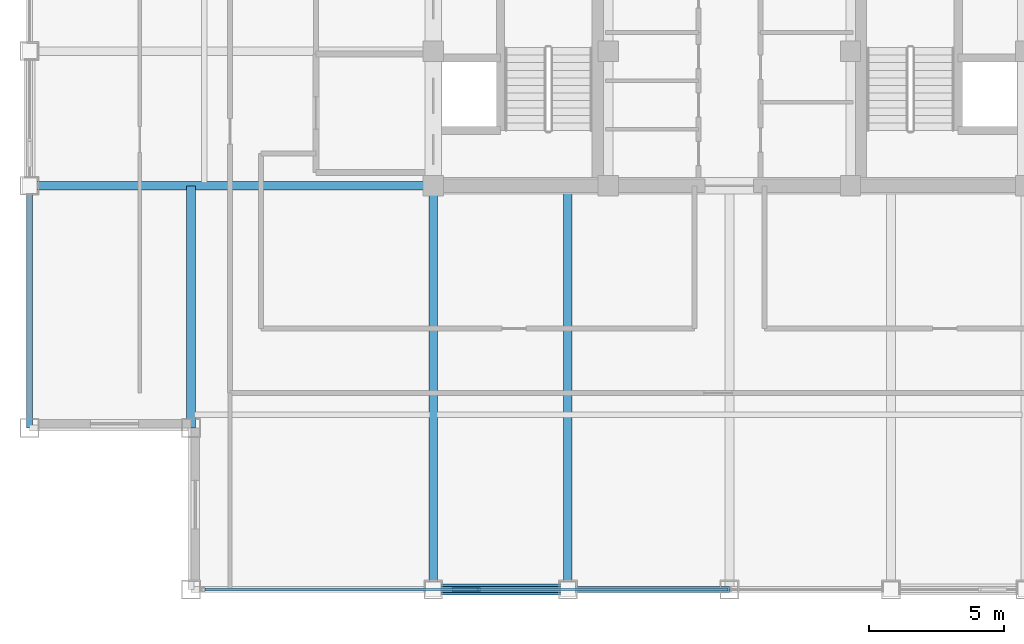
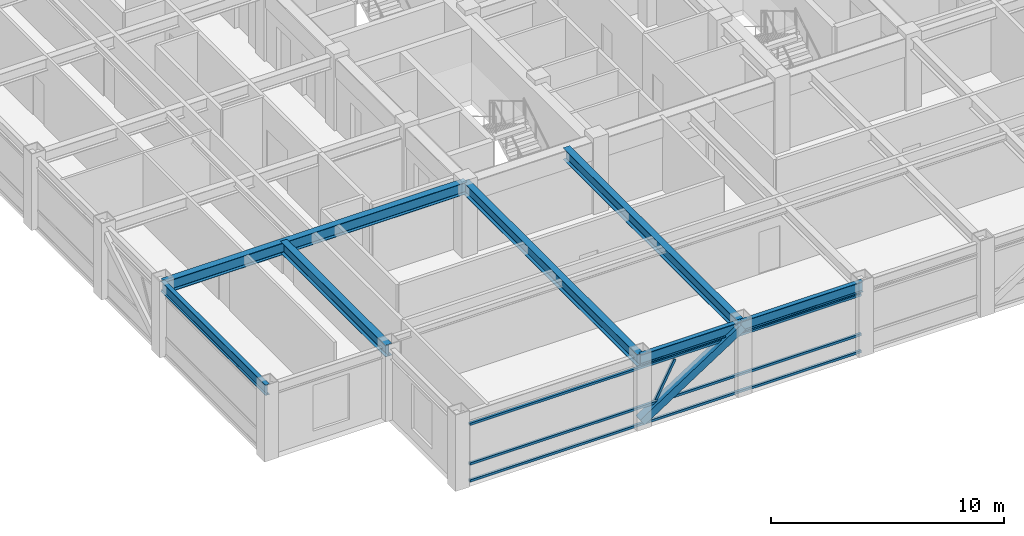
# One storey, part 3 of 29: 7 beams, 5 members, 1 element without a shape of its own.
"""IFC4 building model written with IfcOpenShell, lengths in metres."""

from ifc_helpers import new_model, si_unit, direction, frame, origin, origin_2d, place, context, subcontext, project, spatial, hollow_rectangle, i_section, extrude, source, transform, mapped, material, material_profile, profile_set, type_object, element, aggregate, save


model = new_model("IFC4")

# Units and contexts
model_context = context("Model", 3, precision=1e-05, world=origin(), true_north=direction((0.0, 1.0)))
body_context = subcontext(model_context, "Body", "Model", "MODEL_VIEW")
ifc_project = project(units=[si_unit("LENGTHUNIT", "METRE"), si_unit("AREAUNIT", "SQUARE_METRE"), si_unit("VOLUMEUNIT", "CUBIC_METRE"), si_unit("PLANEANGLEUNIT", "RADIAN"), si_unit("MASSUNIT", "GRAM", prefix="KILO")], contexts=[model_context])

# Site, building, storey
site_placement = place(None, origin())
site = spatial("IfcSite", under=ifc_project, at=site_placement, CompositionType="ELEMENT")
building_placement = place(site_placement, origin())
building = spatial("IfcBuilding", under=site, at=building_placement, Name="Khorayat Bourse Tower", CompositionType="ELEMENT")
storey_placement = place(building_placement, frame((0.0, 0.0, 358.300048828125)))
storey = spatial("IfcBuildingStorey", under=building, at=storey_placement, Name="L85", CompositionType="ELEMENT", Elevation=358.300048828125)

# Beams
ifc_material_1 = material(Name="Steel ASTM A992 Grade 50", Category="steel")
ifc_material_profile_1 = material_profile(ifc_material_1, i_section(OverallWidth=0.214111328125, OverallDepth=0.549072265625, WebThickness=0.0146484375, FlangeThickness=0.023681640625, FilletRadius=0.013916015625, at=origin_2d()), Name="W530X138")
ifc_profile_set_1 = profile_set([ifc_material_profile_1], Name="Steel ASTM A992 Grade 50")
beam_type_1 = type_object("IfcBeamType", Name="BM-SPAN-530", PredefinedType="SPANDREL", material=ifc_profile_set_1)
shared_shape_1 = source(origin(), body_context, "Body", "SweptSolid", [
    extrude(i_section(OverallWidth=0.214111328125, OverallDepth=0.549072265625, WebThickness=0.0146484375, FlangeThickness=0.023681640625, FilletRadius=0.013916015625, at=origin_2d()), origin(), (0.0, 0.0, 1.0), 9.0),
])
beam_1_placement = place(storey_placement, frame((-26.0, -20.0, 3.46533203125), z_axis=(0.0, 1.0, 0.0), x_axis=(-1.0, 0.0, 0.0)))
element("IfcBeam", 1, at=beam_1_placement, inside=storey, type_object=beam_type_1, Name="L85 BM-SPAN-530 BM-L85-SPN-053", PredefinedType="SPANDREL", context=body_context, shape_type="MappedRepresentation", body=[
    mapped(shared_shape_1, transform((0.0, 0.0, 0.0), scale=1.0)),
])
shared_shape_2 = source(origin(), body_context, "Body", "SweptSolid", [
    extrude(i_section(OverallWidth=0.214111328125, OverallDepth=0.549072265625, WebThickness=0.0146484375, FlangeThickness=0.023681640625, FilletRadius=0.013916015625, at=origin_2d()), origin(), (0.0, 0.0, 1.0), 5.0),
])
beam_2_placement = place(storey_placement, frame((-11.0, -26.0, 3.46533203125), z_axis=(1.0, 0.0, 0.0), x_axis=(0.0, 1.0, 0.0)))
element("IfcBeam", 2, at=beam_2_placement, inside=storey, type_object=beam_type_1, Name="L85 BM-SPAN-530 BM-L85-SPN-025", PredefinedType="SPANDREL", context=body_context, shape_type="MappedRepresentation", body=[
    mapped(shared_shape_2, transform((0.0, 0.0, 0.0), scale=1.0)),
])
shared_shape_3 = source(origin(), body_context, "Body", "SweptSolid", [
    extrude(i_section(OverallWidth=0.214111328125, OverallDepth=0.549072265625, WebThickness=0.0146484375, FlangeThickness=0.023681640625, FilletRadius=0.013916015625, at=origin_2d()), origin(), (0.0, 0.0, 1.0), 6.0),
])
beam_3_placement = place(storey_placement, frame((-6.0, -26.0, 3.46533203125), z_axis=(1.0, 0.0, 0.0), x_axis=(0.0, 1.0, 0.0)))
element("IfcBeam", 3, at=beam_3_placement, inside=storey, type_object=beam_type_1, Name="L85 BM-SPAN-530 BM-L85-SPN-026", PredefinedType="SPANDREL", context=body_context, shape_type="MappedRepresentation", body=[
    mapped(shared_shape_3, transform((0.0, 0.0, 0.0), scale=1.0)),
])
ifc_material_profile_2 = material_profile(ifc_material_1, i_section(OverallWidth=0.324951171875, OverallDepth=0.615966796875, WebThickness=0.013916015625, FlangeThickness=0.021484375, FilletRadius=0.01611328125, at=origin_2d()), Name="W610X174")
ifc_profile_set_2 = profile_set([ifc_material_profile_2], Name="Steel ASTM A992 Grade 50")
beam_type_2 = type_object("IfcBeamType", Name="BM-GIRD-610", PredefinedType="BEAM", material=ifc_profile_set_2)
shared_shape_4 = source(origin(), body_context, "Body", "SweptSolid", [
    extrude(i_section(OverallWidth=0.324951171875, OverallDepth=0.615966796875, WebThickness=0.013916015625, FlangeThickness=0.021484375, FilletRadius=0.01611328125, at=origin_2d()), origin(), (0.0, 0.0, 1.0), 15.0),
])
for number, where, z_axis, x_axis, name in (
    (4, (-11.0, -26.0, 3.431884765625), (0.0, 1.0, 0.0), (-1.0, 0.0, 0.0), "L85 BM-GIRD-610 BM-L85-RADY-057"),
    (5, (-6.0, -26.0, 3.431884765625), (0.0, 1.0, 0.0), (-1.0, 0.0, 0.0), "L85 BM-GIRD-610 BM-L85-RADY-059"),
    (6, (-26.0, -11.0, 3.431884765625), (1.0, 0.0, 0.0), (0.0, 1.0, 0.0), "L85 BM-GIRD-610 BM-L85-RADX-067"),
):
    element("IfcBeam", number, at=place(storey_placement, frame(where, z_axis=z_axis, x_axis=x_axis)), inside=storey, type_object=beam_type_2, Name=name, PredefinedType="BEAM", context=body_context, shape_type="MappedRepresentation", body=[
        mapped(shared_shape_4, transform((0.0, 0.0, 0.0), scale=1.0)),
    ])
shared_shape_5 = source(origin(), body_context, "Body", "SweptSolid", [
    extrude(i_section(OverallWidth=0.324951171875, OverallDepth=0.615966796875, WebThickness=0.013916015625, FlangeThickness=0.021484375, FilletRadius=0.01611328125, at=origin_2d()), origin(), (0.0, 0.0, 1.0), 9.0),
])
beam_4_placement = place(storey_placement, frame((-20.0, -20.0, 3.431884765625), z_axis=(0.0, 1.0, 0.0), x_axis=(-1.0, 0.0, 0.0)))
element("IfcBeam", 7, at=beam_4_placement, inside=storey, type_object=beam_type_2, Name="L85 BM-GIRD-610 BM-L85-CNRY-076", PredefinedType="BEAM", context=body_context, shape_type="MappedRepresentation", body=[
    mapped(shared_shape_5, transform((0.0, 0.0, 0.0), scale=1.0)),
])

# Member
ifc_material_2 = material(Name="Steel EN 10025-4 S460M", Category="steel")
ifc_material_profile_3 = material_profile(ifc_material_2, hollow_rectangle(XDim=0.39990234375, YDim=0.39990234375, WallThickness=0.02197265625, at=origin_2d()), Name="HSS 400x400x22")
ifc_profile_set_3 = profile_set([ifc_material_profile_3], Name="Steel EN 10025-4 S460M")
member_type_1 = type_object("IfcMemberType", Name="MBR-TUBE-400", PredefinedType="BRACE", material=ifc_profile_set_3)
shared_shape_6 = source(origin(), body_context, "Body", "SweptSolid", [
    extrude(hollow_rectangle(XDim=0.39990234375, YDim=0.39990234375, WallThickness=0.02197265625, at=origin_2d()), origin(), (0.0, 0.0, 1.0), 5.9580078125),
])
member_1_placement = place(storey_placement, frame((-11.0, -26.0, 0.25), z_axis=(0.839210474455, 0.0, 0.543806748364), x_axis=(0.0, 1.0, 0.0)))
element("IfcMember", 8, at=member_1_placement, inside=storey, type_object=member_type_1, Name="L85 Perimeter Tube Brace 01", PredefinedType="BRACE", context=body_context, shape_type="MappedRepresentation", body=[
    mapped(shared_shape_6, transform((0.0, 0.0, 0.0), scale=1.0)),
])

# Curtain wall, members
ifc_material_3 = material(Name="Aluminium EN AW-6063 T6", Category="aluminium")
curtain_wall_type = type_object("IfcCurtainWallType", Name="CW-SYS-04", PredefinedType="NOTDEFINED", material=ifc_material_3)
curtain_wall_placement = place(storey_placement, origin())
curtain_wall = element("IfcCurtainWall", 9, at=curtain_wall_placement, inside=storey, type_object=curtain_wall_type, Name="L85 Curtain Wall CW-L85-S1", PredefinedType="NOTDEFINED")
ifc_material_profile_4 = material_profile(ifc_material_3, hollow_rectangle(XDim=0.1201171875, YDim=0.1201171875, WallThickness=0.0048828125, at=origin_2d()), Name="ALU 120x120x5")
ifc_profile_set_4 = profile_set([ifc_material_profile_4], Name="Aluminium EN AW-6063 T6")
member_type_2 = type_object("IfcMemberType", Name="CWM-DIAG-120", PredefinedType="MULLION", material=ifc_profile_set_4)
shared_shape_7 = source(origin(), body_context, "Body", "SweptSolid", [
    extrude(hollow_rectangle(XDim=0.1201171875, YDim=0.1201171875, WallThickness=0.0048828125, at=origin_2d()), origin(), (0.0, 0.0, 1.0), 2.0341796875),
])
member_2_placement = place(storey_placement, frame((-10.24365234375, -26.0, 1.08984375), z_axis=(0.465696964104, 0.0, 0.884944256789), x_axis=(0.0, 1.0, 0.0)))
member_2 = element("IfcMember", 10, at=member_2_placement, type_object=member_type_2, Name="CW-L85-S1 Faceted Diagonal Mullion 1", PredefinedType="MULLION", context=body_context, shape_type="MappedRepresentation", body=[
    mapped(shared_shape_7, transform((0.0, 0.0, 0.0), scale=1.0)),
])
ifc_material_profile_5 = material_profile(ifc_material_3, hollow_rectangle(XDim=0.1201171875, YDim=0.1201171875, WallThickness=0.0048828125, at=origin_2d()), Name="ALU 120x120x5")
ifc_profile_set_5 = profile_set([ifc_material_profile_5], Name="Aluminium EN AW-6063 T6")
member_type_3 = type_object("IfcMemberType", Name="CWT-HORZ-120", PredefinedType="USERDEFINED", material=ifc_profile_set_5)
shared_shape_8 = source(origin(), body_context, "Body", "SweptSolid", [
    extrude(hollow_rectangle(XDim=0.1201171875, YDim=0.1201171875, WallThickness=0.0048828125, at=origin_2d()), origin(), (0.0, 0.0, 1.0), 19.419921875),
])
member_3_placement = place(storey_placement, frame((-19.47998046875, -26.0, 0.06005859375), z_axis=(1.0, 0.0, 0.0), x_axis=(0.0, 1.0, 0.0)))
member_3 = element("IfcMember", 11, at=member_3_placement, type_object=member_type_3, Name="CW-L85-S1 Horizontal Transom 1-1", ObjectType="TRANSOM", PredefinedType="USERDEFINED", context=body_context, shape_type="MappedRepresentation", body=[
    mapped(shared_shape_8, transform((0.0, 0.0, 0.0), scale=1.0)),
])
member_4_placement = place(storey_placement, frame((-19.47998046875, -26.0, 0.949951171875), z_axis=(1.0, 0.0, 0.0), x_axis=(0.0, 1.0, 0.0)))
member_4 = element("IfcMember", 12, at=member_4_placement, type_object=member_type_3, Name="CW-L85-S1 Horizontal Transom 1-2", ObjectType="TRANSOM", PredefinedType="USERDEFINED", context=body_context, shape_type="MappedRepresentation", body=[
    mapped(shared_shape_8, transform((0.0, 0.0, 0.0), scale=1.0)),
])
member_5_placement = place(storey_placement, frame((-19.47998046875, -26.0, 3.030029296875), z_axis=(1.0, 0.0, 0.0), x_axis=(0.0, 1.0, 0.0)))
member_5 = element("IfcMember", 13, at=member_5_placement, type_object=member_type_3, Name="CW-L85-S1 Horizontal Transom 1-3", ObjectType="TRANSOM", PredefinedType="USERDEFINED", context=body_context, shape_type="MappedRepresentation", body=[
    mapped(shared_shape_8, transform((0.0, 0.0, 0.0), scale=1.0)),
])
aggregate(curtain_wall, [member_3, member_4, member_5, member_2])

save(model, "model.ifc")
